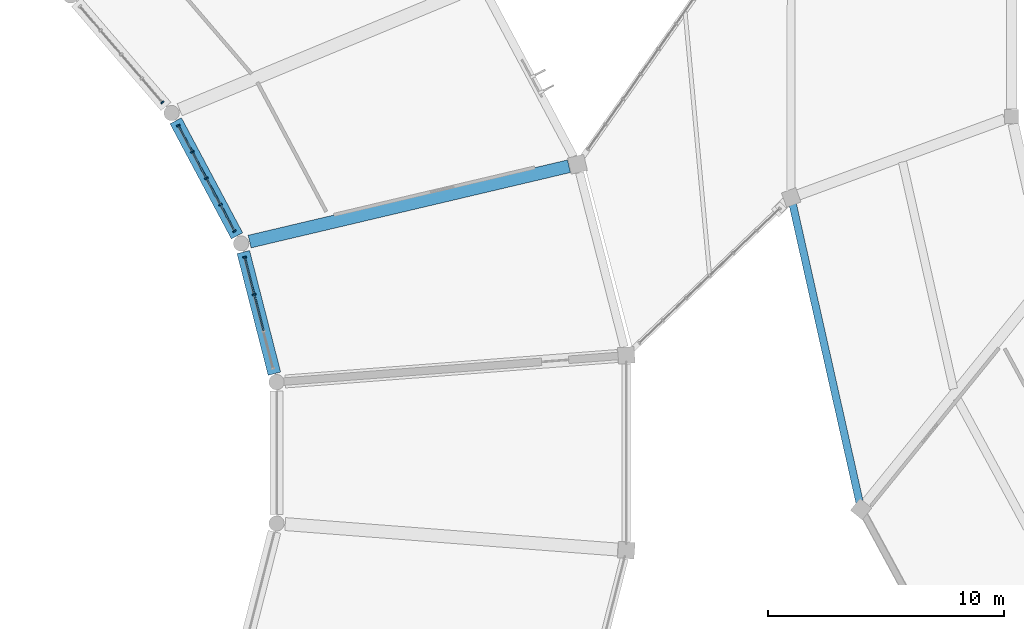
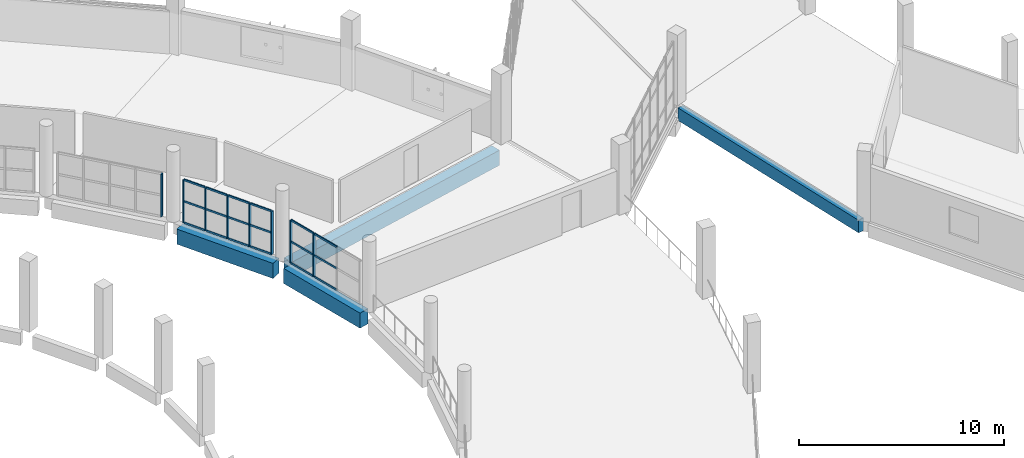
# One storey, part 50 of 142: 26 members, 4 beams, 3 elements without a shape of their own.
"""IFC4 building model written with IfcOpenShell, lengths in metres."""

from ifc_helpers import new_model, si_unit, direction, frame, origin, origin_2d, place, context, subcontext, project, spatial, rectangle, extrude, material, layer, layer_set, material_profile, profile_set, type_object, element, aggregate, save


model = new_model("IFC4")

# Units and contexts
model_context = context("Model", 3, precision=1e-05, world=origin(), true_north=direction((0.0, 1.0)))
body_context = subcontext(model_context, "Body", "Model", "MODEL_VIEW")
ifc_project = project(units=[si_unit("LENGTHUNIT", "METRE"), si_unit("AREAUNIT", "SQUARE_METRE"), si_unit("VOLUMEUNIT", "CUBIC_METRE"), si_unit("PLANEANGLEUNIT", "RADIAN"), si_unit("MASSUNIT", "GRAM", prefix="KILO")], contexts=[model_context])

# Site, building, storey
site_placement = place(None, origin())
site = spatial("IfcSite", under=ifc_project, at=site_placement, CompositionType="ELEMENT")
building_placement = place(site_placement, origin())
building = spatial("IfcBuilding", under=site, at=building_placement, Name="Corvandel Quay Wholesale Market", CompositionType="ELEMENT")
storey_placement = place(building_placement, frame((0.0, 0.0, 10.800048828125)))
storey = spatial("IfcBuildingStorey", under=building, at=storey_placement, Name="L02", CompositionType="ELEMENT", Elevation=10.800048828125)

# Curtain wall, members
ifc_material_1 = material(Name="Bronze anodised aluminium and low-E insulated glazing", Category="aluminium")
ifc_layer_1 = layer(ifc_material_1, 0.174072265625)
ifc_layer_set_1 = layer_set([ifc_layer_1], Name="Bronze anodised aluminium and low-E insulated glazing")
curtain_wall_type_1 = type_object("IfcCurtainWallType", Name="Stick Curtain Wall System CW22 H4980", PredefinedType="NOTDEFINED", material=ifc_layer_set_1)
curtain_wall_1_placement = place(storey_placement, origin())
curtain_wall_1 = element("IfcCurtainWall", 1, at=curtain_wall_1_placement, inside=storey, type_object=curtain_wall_type_1, Name="Curtain Wall CW-0002", PredefinedType="NOTDEFINED")
ifc_material_2 = material(Name="Anodised aluminium 6063-T6", Category="aluminium")
ifc_material_profile_1 = material_profile(ifc_material_2, rectangle(XDim=0.06494140625, YDim=0.14990234375, at=origin_2d()), Name="ALU-MUL-65x150")
ifc_profile_set_1 = profile_set([ifc_material_profile_1], Name="Anodised aluminium 6063-T6")
member_type_1 = type_object("IfcMemberType", Name="Curtain Wall Mullion ML02 65x150", PredefinedType="MULLION", material=ifc_profile_set_1)
member_1_placement = place(storey_placement, frame((152.1962890625, 48.727294921875, 0.0), z_axis=(0.0, 0.0, 1.0), x_axis=(-0.247844544316, 0.968799815159, 0.0)))
member_1 = element("IfcMember", 2, at=member_1_placement, type_object=member_type_1, Name="Mullion CW-0002-M02", PredefinedType="MULLION", context=body_context, shape_type="SweptSolid", body=[
    extrude(rectangle(XDim=0.06494140625, YDim=0.14990234375, at=origin_2d()), origin(), (0.0, 0.0, 1.0), 2.550048828125),
])
member_2_placement = place(storey_placement, frame((151.793701171875, 50.30078125, 0.0), z_axis=(0.0, 0.0, 1.0), x_axis=(-0.247844544316, 0.968799815159, 0.0)))
member_2 = element("IfcMember", 3, at=member_2_placement, type_object=member_type_1, Name="Mullion CW-0002-M03", PredefinedType="MULLION", context=body_context, shape_type="SweptSolid", body=[
    extrude(rectangle(XDim=0.06494140625, YDim=0.14990234375, at=origin_2d()), origin(), (0.0, 0.0, 1.0), 2.550048828125),
])

ifc_layer_2 = layer(ifc_material_1, 0.18603515625)
ifc_layer_set_2 = layer_set([ifc_layer_2], Name="Bronze anodised aluminium and low-E insulated glazing")
curtain_wall_type_2 = type_object("IfcCurtainWallType", Name="Stick Curtain Wall System CW23 H5070", PredefinedType="NOTDEFINED", material=ifc_layer_set_2)
curtain_wall_2_placement = place(storey_placement, origin())
curtain_wall_2 = element("IfcCurtainWall", 4, at=curtain_wall_2_placement, inside=storey, type_object=curtain_wall_type_2, Name="Curtain Wall CW-0005", PredefinedType="NOTDEFINED")
member_3_placement = place(storey_placement, frame((151.363037109375, 51.41162109375, 0.0), z_axis=(0.0, 0.0, 1.0), x_axis=(-0.470087862033, 0.882619624736, 0.0)))
member_3 = element("IfcMember", 5, at=member_3_placement, type_object=member_type_1, Name="Mullion CW-0005-M00", PredefinedType="MULLION", context=body_context, shape_type="SweptSolid", body=[
    extrude(rectangle(XDim=0.06494140625, YDim=0.14990234375, at=origin_2d()), origin(), (0.0, 0.0, 1.0), 2.550048828125),
])
member_4_placement = place(storey_placement, frame((150.766357421875, 52.531982421875, 0.0), z_axis=(0.0, 0.0, 1.0), x_axis=(-0.470087862033, 0.882619624736, 0.0)))
member_4 = element("IfcMember", 6, at=member_4_placement, type_object=member_type_1, Name="Mullion CW-0005-M01", PredefinedType="MULLION", context=body_context, shape_type="SweptSolid", body=[
    extrude(rectangle(XDim=0.06494140625, YDim=0.14990234375, at=origin_2d()), origin(), (0.0, 0.0, 1.0), 2.550048828125),
])
member_5_placement = place(storey_placement, frame((150.16943359375, 53.652587890625, 0.0), z_axis=(0.0, 0.0, 1.0), x_axis=(-0.470087862033, 0.882619624736, 0.0)))
member_5 = element("IfcMember", 7, at=member_5_placement, type_object=member_type_1, Name="Mullion CW-0005-M02", PredefinedType="MULLION", context=body_context, shape_type="SweptSolid", body=[
    extrude(rectangle(XDim=0.06494140625, YDim=0.14990234375, at=origin_2d()), origin(), (0.0, 0.0, 1.0), 2.550048828125),
])
member_6_placement = place(storey_placement, frame((149.57275390625, 54.77294921875, 0.0), z_axis=(0.0, 0.0, 1.0), x_axis=(-0.470087862033, 0.882619624736, 0.0)))
member_6 = element("IfcMember", 8, at=member_6_placement, type_object=member_type_1, Name="Mullion CW-0005-M03", PredefinedType="MULLION", context=body_context, shape_type="SweptSolid", body=[
    extrude(rectangle(XDim=0.06494140625, YDim=0.14990234375, at=origin_2d()), origin(), (0.0, 0.0, 1.0), 2.550048828125),
])
member_7_placement = place(storey_placement, frame((148.97607421875, 55.893310546875, 0.0), z_axis=(0.0, 0.0, 1.0), x_axis=(-0.470087862033, 0.882619624736, 0.0)))
member_7 = element("IfcMember", 9, at=member_7_placement, type_object=member_type_1, Name="Mullion CW-0005-M04", PredefinedType="MULLION", context=body_context, shape_type="SweptSolid", body=[
    extrude(rectangle(XDim=0.06494140625, YDim=0.14990234375, at=origin_2d()), origin(), (0.0, 0.0, 1.0), 2.550048828125),
])

# Curtain wall, member
ifc_layer_3 = layer(ifc_material_1, 0.197998046875)
ifc_layer_set_3 = layer_set([ifc_layer_3], Name="Bronze anodised aluminium and low-E insulated glazing")
curtain_wall_type_3 = type_object("IfcCurtainWallType", Name="Stick Curtain Wall System CW24 H5160", PredefinedType="NOTDEFINED", material=ifc_layer_set_3)
curtain_wall_3_placement = place(storey_placement, origin())
curtain_wall_3 = element("IfcCurtainWall", 10, at=curtain_wall_3_placement, inside=storey, type_object=curtain_wall_type_3, Name="Curtain Wall CW-0008", PredefinedType="NOTDEFINED")
member_8_placement = place(storey_placement, frame((148.302978515625, 56.878173828125, 0.0), z_axis=(0.0, 0.0, 1.0), x_axis=(-0.651568967347, 0.758589401976, 0.0)))
member_8 = element("IfcMember", 11, at=member_8_placement, type_object=member_type_1, Name="Mullion CW-0008-M00", PredefinedType="MULLION", context=body_context, shape_type="SweptSolid", body=[
    extrude(rectangle(XDim=0.06494140625, YDim=0.14990234375, at=origin_2d()), origin(), (0.0, 0.0, 1.0), 2.550048828125),
])
aggregate(curtain_wall_3, [member_8])

# Member
ifc_material_profile_2 = material_profile(ifc_material_2, rectangle(XDim=0.06005859375, YDim=0.110107421875, at=origin_2d()), Name="ALU-TRN-60x110")
ifc_profile_set_2 = profile_set([ifc_material_profile_2], Name="Anodised aluminium 6063-T6")
member_type_2 = type_object("IfcMemberType", Name="Curtain Wall Transom TR02 60x110", PredefinedType="USERDEFINED", material=ifc_profile_set_2)
member_9_placement = place(storey_placement, frame((152.5908203125, 47.185302734375, 0.0), z_axis=(-0.247874263937, 0.968792211611, 0.0), x_axis=(-0.968792211611, -0.247874263937, 0.0)))
member_9 = element("IfcMember", 12, at=member_9_placement, type_object=member_type_2, Name="Transom CW-0002-T01-0", ObjectType="TRANSOM", PredefinedType="USERDEFINED", context=body_context, shape_type="SweptSolid", body=[
    extrude(rectangle(XDim=0.06005859375, YDim=0.110107421875, at=origin_2d()), origin(), (0.0, 0.0, 1.0), 1.55908203125),
])

member_10_placement = place(storey_placement, frame((152.5908203125, 47.185302734375, 1.27490234375), z_axis=(-0.247874263937, 0.968792211611, 0.0), x_axis=(-0.968792211611, -0.247874263937, 0.0)))
member_10 = element("IfcMember", 13, at=member_10_placement, type_object=member_type_2, Name="Transom CW-0002-T01-1", ObjectType="TRANSOM", PredefinedType="USERDEFINED", context=body_context, shape_type="SweptSolid", body=[
    extrude(rectangle(XDim=0.06005859375, YDim=0.110107421875, at=origin_2d()), origin(), (0.0, 0.0, 1.0), 1.55908203125),
])

member_11_placement = place(storey_placement, frame((152.5908203125, 47.185302734375, 2.550048828125), z_axis=(-0.247874263937, 0.968792211611, 0.0), x_axis=(-0.968792211611, -0.247874263937, 0.0)))
member_11 = element("IfcMember", 14, at=member_11_placement, type_object=member_type_2, Name="Transom CW-0002-T01-2", ObjectType="TRANSOM", PredefinedType="USERDEFINED", context=body_context, shape_type="SweptSolid", body=[
    extrude(rectangle(XDim=0.06005859375, YDim=0.110107421875, at=origin_2d()), origin(), (0.0, 0.0, 1.0), 1.55908203125),
])

member_12_placement = place(storey_placement, frame((152.188232421875, 48.7587890625, 0.0), z_axis=(-0.247874263937, 0.968792211611, 0.0), x_axis=(-0.968792211611, -0.247874263937, 0.0)))
member_12 = element("IfcMember", 15, at=member_12_placement, type_object=member_type_2, Name="Transom CW-0002-T02-0", ObjectType="TRANSOM", PredefinedType="USERDEFINED", context=body_context, shape_type="SweptSolid", body=[
    extrude(rectangle(XDim=0.06005859375, YDim=0.110107421875, at=origin_2d()), origin(), (0.0, 0.0, 1.0), 1.55908203125),
])

member_13_placement = place(storey_placement, frame((152.188232421875, 48.7587890625, 1.27490234375), z_axis=(-0.247874263937, 0.968792211611, 0.0), x_axis=(-0.968792211611, -0.247874263937, 0.0)))
member_13 = element("IfcMember", 16, at=member_13_placement, type_object=member_type_2, Name="Transom CW-0002-T02-1", ObjectType="TRANSOM", PredefinedType="USERDEFINED", context=body_context, shape_type="SweptSolid", body=[
    extrude(rectangle(XDim=0.06005859375, YDim=0.110107421875, at=origin_2d()), origin(), (0.0, 0.0, 1.0), 1.55908203125),
])

member_14_placement = place(storey_placement, frame((152.188232421875, 48.7587890625, 2.550048828125), z_axis=(-0.247874263937, 0.968792211611, 0.0), x_axis=(-0.968792211611, -0.247874263937, 0.0)))
member_14 = element("IfcMember", 17, at=member_14_placement, type_object=member_type_2, Name="Transom CW-0002-T02-2", ObjectType="TRANSOM", PredefinedType="USERDEFINED", context=body_context, shape_type="SweptSolid", body=[
    extrude(rectangle(XDim=0.06005859375, YDim=0.110107421875, at=origin_2d()), origin(), (0.0, 0.0, 1.0), 1.55908203125),
])

aggregate(curtain_wall_1, [member_1, member_2, member_9, member_10, member_11, member_12, member_13, member_14])

member_15_placement = place(storey_placement, frame((151.34765625, 51.440185546875, 0.0), z_axis=(-0.470009555952, 0.882661326508, 0.0), x_axis=(-0.882661326508, -0.470009555952, 0.0)))
member_15 = element("IfcMember", 18, at=member_15_placement, type_object=member_type_2, Name="Transom CW-0005-T00-0", ObjectType="TRANSOM", PredefinedType="USERDEFINED", context=body_context, shape_type="SweptSolid", body=[
    extrude(rectangle(XDim=0.06005859375, YDim=0.110107421875, at=origin_2d()), origin(), (0.0, 0.0, 1.0), 1.20458984375),
])

member_16_placement = place(storey_placement, frame((151.34765625, 51.440185546875, 1.27490234375), z_axis=(-0.470009555952, 0.882661326508, 0.0), x_axis=(-0.882661326508, -0.470009555952, 0.0)))
member_16 = element("IfcMember", 19, at=member_16_placement, type_object=member_type_2, Name="Transom CW-0005-T00-1", ObjectType="TRANSOM", PredefinedType="USERDEFINED", context=body_context, shape_type="SweptSolid", body=[
    extrude(rectangle(XDim=0.06005859375, YDim=0.110107421875, at=origin_2d()), origin(), (0.0, 0.0, 1.0), 1.20458984375),
])

member_17_placement = place(storey_placement, frame((151.34765625, 51.440185546875, 2.550048828125), z_axis=(-0.470009555952, 0.882661326508, 0.0), x_axis=(-0.882661326508, -0.470009555952, 0.0)))
member_17 = element("IfcMember", 20, at=member_17_placement, type_object=member_type_2, Name="Transom CW-0005-T00-2", ObjectType="TRANSOM", PredefinedType="USERDEFINED", context=body_context, shape_type="SweptSolid", body=[
    extrude(rectangle(XDim=0.06005859375, YDim=0.110107421875, at=origin_2d()), origin(), (0.0, 0.0, 1.0), 1.20458984375),
])

member_18_placement = place(storey_placement, frame((150.7509765625, 52.560791015625, 0.0), z_axis=(-0.470093651578, 0.882616541169, 0.0), x_axis=(-0.882616541169, -0.470093651578, 0.0)))
member_18 = element("IfcMember", 21, at=member_18_placement, type_object=member_type_2, Name="Transom CW-0005-T01-0", ObjectType="TRANSOM", PredefinedType="USERDEFINED", context=body_context, shape_type="SweptSolid", body=[
    extrude(rectangle(XDim=0.06005859375, YDim=0.110107421875, at=origin_2d()), origin(), (0.0, 0.0, 1.0), 1.204345703125),
])

member_19_placement = place(storey_placement, frame((150.7509765625, 52.560791015625, 1.27490234375), z_axis=(-0.470093651578, 0.882616541169, 0.0), x_axis=(-0.882616541169, -0.470093651578, 0.0)))
member_19 = element("IfcMember", 22, at=member_19_placement, type_object=member_type_2, Name="Transom CW-0005-T01-1", ObjectType="TRANSOM", PredefinedType="USERDEFINED", context=body_context, shape_type="SweptSolid", body=[
    extrude(rectangle(XDim=0.06005859375, YDim=0.110107421875, at=origin_2d()), origin(), (0.0, 0.0, 1.0), 1.204345703125),
])

member_20_placement = place(storey_placement, frame((150.7509765625, 52.560791015625, 2.550048828125), z_axis=(-0.470093651578, 0.882616541169, 0.0), x_axis=(-0.882616541169, -0.470093651578, 0.0)))
member_20 = element("IfcMember", 23, at=member_20_placement, type_object=member_type_2, Name="Transom CW-0005-T01-2", ObjectType="TRANSOM", PredefinedType="USERDEFINED", context=body_context, shape_type="SweptSolid", body=[
    extrude(rectangle(XDim=0.06005859375, YDim=0.110107421875, at=origin_2d()), origin(), (0.0, 0.0, 1.0), 1.204345703125),
])

member_21_placement = place(storey_placement, frame((150.154296875, 53.68115234375, 0.0), z_axis=(-0.470167437755, 0.882577237682, 0.0), x_axis=(-0.882577237682, -0.470167437755, 0.0)))
member_21 = element("IfcMember", 24, at=member_21_placement, type_object=member_type_2, Name="Transom CW-0005-T02-0", ObjectType="TRANSOM", PredefinedType="USERDEFINED", context=body_context, shape_type="SweptSolid", body=[
    extrude(rectangle(XDim=0.06005859375, YDim=0.110107421875, at=origin_2d()), origin(), (0.0, 0.0, 1.0), 1.20458984375),
])

member_22_placement = place(storey_placement, frame((150.154296875, 53.68115234375, 1.27490234375), z_axis=(-0.470167437755, 0.882577237682, 0.0), x_axis=(-0.882577237682, -0.470167437755, 0.0)))
member_22 = element("IfcMember", 25, at=member_22_placement, type_object=member_type_2, Name="Transom CW-0005-T02-1", ObjectType="TRANSOM", PredefinedType="USERDEFINED", context=body_context, shape_type="SweptSolid", body=[
    extrude(rectangle(XDim=0.06005859375, YDim=0.110107421875, at=origin_2d()), origin(), (0.0, 0.0, 1.0), 1.20458984375),
])

member_23_placement = place(storey_placement, frame((150.154296875, 53.68115234375, 2.550048828125), z_axis=(-0.470167437755, 0.882577237682, 0.0), x_axis=(-0.882577237682, -0.470167437755, 0.0)))
member_23 = element("IfcMember", 26, at=member_23_placement, type_object=member_type_2, Name="Transom CW-0005-T02-2", ObjectType="TRANSOM", PredefinedType="USERDEFINED", context=body_context, shape_type="SweptSolid", body=[
    extrude(rectangle(XDim=0.06005859375, YDim=0.110107421875, at=origin_2d()), origin(), (0.0, 0.0, 1.0), 1.20458984375),
])

member_24_placement = place(storey_placement, frame((149.5576171875, 54.801513671875, 0.0), z_axis=(-0.470167437755, 0.882577237682, 0.0), x_axis=(-0.882577237682, -0.470167437755, 0.0)))
member_24 = element("IfcMember", 27, at=member_24_placement, type_object=member_type_2, Name="Transom CW-0005-T03-0", ObjectType="TRANSOM", PredefinedType="USERDEFINED", context=body_context, shape_type="SweptSolid", body=[
    extrude(rectangle(XDim=0.06005859375, YDim=0.110107421875, at=origin_2d()), origin(), (0.0, 0.0, 1.0), 1.20458984375),
])

member_25_placement = place(storey_placement, frame((149.5576171875, 54.801513671875, 1.27490234375), z_axis=(-0.470167437755, 0.882577237682, 0.0), x_axis=(-0.882577237682, -0.470167437755, 0.0)))
member_25 = element("IfcMember", 28, at=member_25_placement, type_object=member_type_2, Name="Transom CW-0005-T03-1", ObjectType="TRANSOM", PredefinedType="USERDEFINED", context=body_context, shape_type="SweptSolid", body=[
    extrude(rectangle(XDim=0.06005859375, YDim=0.110107421875, at=origin_2d()), origin(), (0.0, 0.0, 1.0), 1.20458984375),
])

member_26_placement = place(storey_placement, frame((149.5576171875, 54.801513671875, 2.550048828125), z_axis=(-0.470167437755, 0.882577237682, 0.0), x_axis=(-0.882577237682, -0.470167437755, 0.0)))
member_26 = element("IfcMember", 29, at=member_26_placement, type_object=member_type_2, Name="Transom CW-0005-T03-2", ObjectType="TRANSOM", PredefinedType="USERDEFINED", context=body_context, shape_type="SweptSolid", body=[
    extrude(rectangle(XDim=0.06005859375, YDim=0.110107421875, at=origin_2d()), origin(), (0.0, 0.0, 1.0), 1.20458984375),
])

aggregate(curtain_wall_2, [member_3, member_4, member_5, member_6, member_7, member_15, member_16, member_17, member_18, member_19, member_20, member_21, member_22, member_23, member_24, member_25, member_26])

# Beams
ifc_material_3 = material(Name="Precast concrete C45/55", Category="concrete")
ifc_material_profile_3 = material_profile(ifc_material_3, rectangle(XDim=0.320068359375, YDim=0.75, at=origin_2d()), Name="PC-SPN-320x750")
ifc_profile_set_3 = profile_set([ifc_material_profile_3], Name="Precast concrete C45/55")
beam_type_1 = type_object("IfcBeamType", Name="Pavilion Precast Spandrel SP02 320x750", PredefinedType="SPANDREL", material=ifc_profile_set_3)
beam_1_placement = place(storey_placement, frame((175.05908203125, 52.57568359375, -0.594970703125), z_axis=(0.218953092988, -0.975735385784, 0.0), x_axis=(0.975735385784, 0.218953092988, 0.0)))
element("IfcBeam", 30, at=beam_1_placement, inside=storey, type_object=beam_type_1, Name="Beam BM-0855", PredefinedType="SPANDREL", context=body_context, shape_type="SweptSolid", body=[
    extrude(rectangle(XDim=0.320068359375, YDim=0.75, at=origin_2d()), origin(), (0.0, 0.0, 1.0), 13.020263671875),
])
ifc_material_profile_4 = material_profile(ifc_material_3, rectangle(XDim=0.550048828125, YDim=0.89990234375, at=origin_2d()), Name="PC-GIR-550x900")
ifc_profile_set_4 = profile_set([ifc_material_profile_4], Name="Precast concrete C45/55")
beam_type_2 = type_object("IfcBeamType", Name="Produce Hall Radial Girder G03 550x900", PredefinedType="USERDEFINED", material=ifc_profile_set_4)
beam_2_placement = place(storey_placement, frame((153.058349609375, 45.357421875, -0.77001953125), z_axis=(-0.247832250622, 0.968802960127, 0.0), x_axis=(-0.968802960127, -0.247832250622, 0.0)))
element("IfcBeam", 31, at=beam_2_placement, inside=storey, type_object=beam_type_2, Name="Beam BM-0008", ObjectType="GIRDER", PredefinedType="USERDEFINED", context=body_context, shape_type="SweptSolid", body=[
    extrude(rectangle(XDim=0.550048828125, YDim=0.89990234375, at=origin_2d()), origin(), (0.0, 0.0, 1.0), 5.332275390625),
])
beam_3_placement = place(storey_placement, frame((151.47119140625, 51.20849609375, -0.77001953125), z_axis=(-0.470077899921, 0.882624930537, 0.0), x_axis=(-0.882624930537, -0.470077899921, 0.0)))
element("IfcBeam", 32, at=beam_3_placement, inside=storey, type_object=beam_type_2, Name="Beam BM-0021", ObjectType="GIRDER", PredefinedType="USERDEFINED", context=body_context, shape_type="SweptSolid", body=[
    extrude(rectangle(XDim=0.550048828125, YDim=0.89990234375, at=origin_2d()), origin(), (0.0, 0.0, 1.0), 5.537841796875),
])
beam_4_placement = place(storey_placement, frame((165.56494140625, 54.166015625, -0.77001953125), z_axis=(-0.973282095962, -0.229612633971, 0.0), x_axis=(0.229612633971, -0.973282095962, 0.0)))
element("IfcBeam", 33, at=beam_4_placement, inside=storey, type_object=beam_type_2, Name="Beam BM-0023", ObjectType="GIRDER", PredefinedType="USERDEFINED", context=body_context, shape_type="SweptSolid", body=[
    extrude(rectangle(XDim=0.550048828125, YDim=0.89990234375, at=origin_2d()), origin(), (0.0, 0.0, 1.0), 13.93212890625),
])

save(model, "model.ifc")
